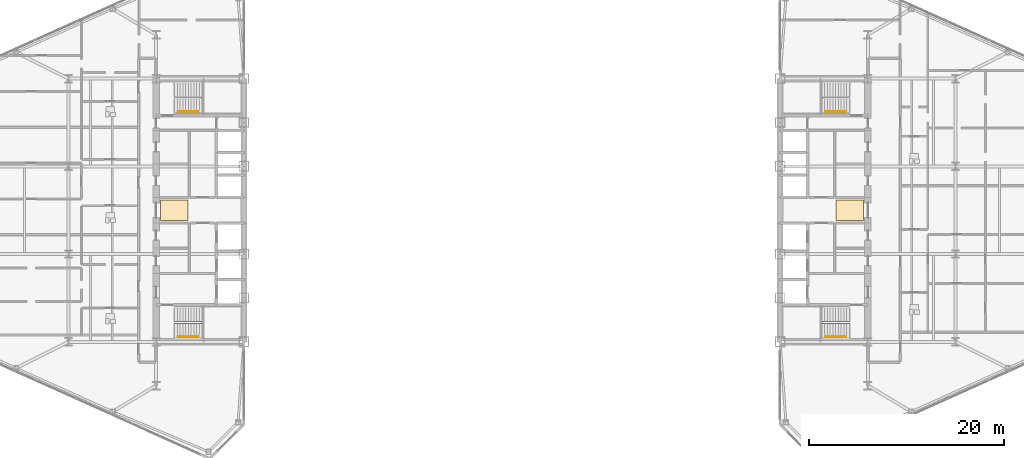
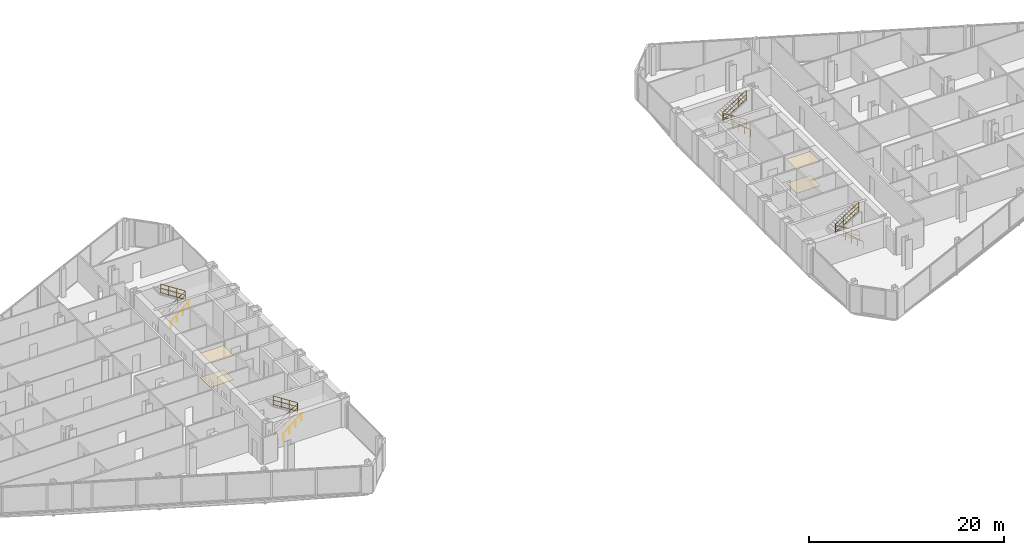
# One storey, part 26 of 27: 8 railings, 4 coverings.
"""IFC4 building model written with IfcOpenShell, lengths in metres."""

import ifcopenshell
import ifcopenshell.guid

model = None  # the IFC model being written
_history = None  # IfcOwnerHistory: only IFC2X3 demands one
_inside = {}  # id of a spatial element -> (the spatial element, [elements in it])
_under = {}  # id of a project, library or spatial element -> (it, [spatial elements below it])
_declared = {}  # id of a project -> (the project, [libraries it declares])
_typed = {}  # id of a type object -> (the type object, [elements of that type])
_made_of = {}  # id of a material, layer set ... -> (it, [elements and type objects made of it])


def new_model(schema):
    """Start an empty IFC model of exactly this schema.

    Asked for "IFC4X3", IfcOpenShell would pick the latest addendum, in which some entities
    have other attributes; the version numbers below select the first issue.
    IFC2X3 requires an IfcOwnerHistory on every rooted entity: one is made here for all.
    """
    global model, _history
    if schema == "IFC4X3":
        model = ifcopenshell.file(schema_version=(4, 3, 0, 0))
    else:
        model = ifcopenshell.file(schema=schema)
    _inside.clear()
    _under.clear()
    _declared.clear()
    _typed.clear()
    _made_of.clear()
    _history = None
    if model.schema == "IFC2X3":
        org = make("IfcOrganization", Name="unknown")
        user = make(
            "IfcPersonAndOrganization",
            ThePerson=make("IfcPerson", FamilyName="unknown"),
            TheOrganization=org,
        )
        app = make(
            "IfcApplication",
            ApplicationDeveloper=org,
            Version="unknown",
            ApplicationFullName="unknown",
            ApplicationIdentifier="unknown",
        )
        _history = make(
            "IfcOwnerHistory",
            OwningUser=user,
            OwningApplication=app,
            ChangeAction="ADDED",
            CreationDate=0,
        )
    return model


def make(cls, **values):
    """One entity of the class cls with the attributes given. An attribute that is None is left unset."""
    return model.create_entity(
        cls, **{name: value for name, value in values.items() if value is not None}
    )


def rooted(cls, **values):
    """An entity with a GlobalId (a new one), such as an element, a storey or a relation."""
    return make(cls, GlobalId=ifcopenshell.guid.new(), OwnerHistory=_history, **values)


def si_unit(unit_type, name, prefix=None):
    """IfcSIUnit, for example si_unit("LENGTHUNIT", "METRE", prefix="MILLI")."""
    return make("IfcSIUnit", UnitType=unit_type, Prefix=prefix, Name=name)


def assignment(units):
    """IfcUnitAssignment: the units of a project."""
    return None if units is None else make("IfcUnitAssignment", Units=units)


def point(xyz):
    """IfcCartesianPoint."""
    return None if xyz is None else make("IfcCartesianPoint", Coordinates=xyz)


def direction(xyz):
    """IfcDirection."""
    return None if xyz is None else make("IfcDirection", DirectionRatios=xyz)


def frame(location, z_axis=None, x_axis=None):
    """IfcAxis2Placement3D, a coordinate frame: its origin and axes. An axis left out is left unset."""
    return make(
        "IfcAxis2Placement3D",
        Location=point(location),
        Axis=direction(z_axis),
        RefDirection=direction(x_axis),
    )


def frame_2d(location, x_axis=None):
    """IfcAxis2Placement2D, a coordinate frame in the plane: its origin and x axis."""
    return make(
        "IfcAxis2Placement2D", Location=point(location), RefDirection=direction(x_axis)
    )


def origin():
    """The frame at (0, 0, 0) with its axes left unset."""
    return frame((0.0, 0.0, 0.0))


def origin_2d():
    """The frame at (0, 0) in the plane with its x axis left unset."""
    return frame_2d((0.0, 0.0))


def place(relative_to, where):
    """IfcLocalPlacement: puts the frame where relative to a parent placement (None: the world)."""
    return make(
        "IfcLocalPlacement", PlacementRelTo=relative_to, RelativePlacement=where
    )


def context(
    kind, dimensions, precision=None, world=None, true_north=None, identifier=None
):
    """IfcGeometricRepresentationContext, for example the 3D "Model" context."""
    return make(
        "IfcGeometricRepresentationContext",
        ContextIdentifier=identifier,
        ContextType=kind,
        CoordinateSpaceDimension=dimensions,
        Precision=precision,
        WorldCoordinateSystem=world,
        TrueNorth=true_north,
    )


def subcontext(parent, identifier, kind, view, scale=None):
    """IfcGeometricRepresentationSubContext, for example "Body" below "Model"."""
    return make(
        "IfcGeometricRepresentationSubContext",
        ContextIdentifier=identifier,
        ContextType=kind,
        ParentContext=parent,
        TargetScale=scale,
        TargetView=view,
    )


def project(units=None, contexts=None):
    """IfcProject with its units and contexts."""
    return rooted(
        "IfcProject",
        Name="project",
        RepresentationContexts=contexts,
        UnitsInContext=assignment(units),
    )


def spatial(cls, under=None, at=None, **own):
    """A site, building, storey or space (cls), placed at a placement, below another one or the project."""
    s = rooted(cls, ObjectPlacement=at, **own)
    if under is not None:
        _under.setdefault(under.id(), (under, []))[1].append(s)
    return s


def polyline(points):
    """IfcPolyline through the points."""
    return make("IfcPolyline", Points=[point(p) for p in points])


def profile(cls, at=None, kind="AREA", **sizes):
    """A parametric profile (cls). Its sizes go by their IFC names, for example OverallWidth=200.0."""
    return make(cls, ProfileType=kind, Position=at, **sizes)


def circle(**sizes):
    """IfcCircleProfileDef."""
    return profile("IfcCircleProfileDef", **sizes)


def outline(outer, holes=None, kind="AREA"):
    """IfcArbitraryClosedProfileDef: a profile drawn as a closed curve; with holes, ...WithVoids."""
    if holes is None:
        return make("IfcArbitraryClosedProfileDef", ProfileType=kind, OuterCurve=outer)
    return make(
        "IfcArbitraryProfileDefWithVoids",
        ProfileType=kind,
        OuterCurve=outer,
        InnerCurves=holes,
    )


def extrude(swept, where, along, depth):
    """IfcExtrudedAreaSolid: the profile swept, set in the frame where, extruded along a direction by depth."""
    return make(
        "IfcExtrudedAreaSolid",
        SweptArea=swept,
        Position=where,
        ExtrudedDirection=direction(along),
        Depth=depth,
    )


def shape(context_of_items, identifier, shape_type, items):
    """IfcShapeRepresentation: the items that make up one representation, for example the "Body"."""
    return make(
        "IfcShapeRepresentation",
        ContextOfItems=context_of_items,
        RepresentationIdentifier=identifier,
        RepresentationType=shape_type,
        Items=items,
    )


def material(Name=None, Category=None):
    """IfcMaterial."""
    return make("IfcMaterial", Name=Name, Category=Category)


def layer(
    of_material, thickness, ventilated=None, Name=None, Category=None, Priority=None
):
    """IfcMaterialLayer: one layer of a wall or slab, of a material (None: an air gap)."""
    return make(
        "IfcMaterialLayer",
        Material=of_material,
        LayerThickness=thickness,
        IsVentilated=ventilated,
        Name=Name,
        Category=Category,
        Priority=Priority,
    )


def layer_set(layers, Name=None):
    """IfcMaterialLayerSet."""
    return make("IfcMaterialLayerSet", MaterialLayers=layers, LayerSetName=Name)


def made_of(thing, what):
    """Note that an element or type object is made of a material, layer set ...; save() writes the relation."""
    if what is not None:
        _made_of.setdefault(what.id(), (what, []))[1].append(thing)
    return thing


def type_object(cls, material=None, **own):
    """A type object (cls), such as IfcWallType, which elements share."""
    return made_of(rooted(cls, **own), material)


def element(
    cls,
    number,
    at=None,
    inside=None,
    cuts=None,
    type_object=None,
    material=None,
    context=None,
    identifier="Body",
    shape_type=None,
    held_by="IfcProductDefinitionShape",
    body=None,
    shapes=None,
    **own,
):
    """One element of the class cls, such as IfcWall. Its Tag is "e" and its number.

    at: its placement. inside: the storey or other place that contains it. cuts: it is an
    opening in that element (IfcRelVoidsElement). A single representation is given by context,
    identifier, shape_type and body (its items); several are given by shapes. held_by: the class
    of the entity that holds the representations. save() writes the other relations.
    """
    e = rooted(cls, Tag="e%d" % number, ObjectPlacement=at, **own)
    if body is not None:
        shapes = [shape(context, identifier, shape_type, body)]
    if shapes is not None:
        e.Representation = make(held_by, Representations=shapes)
    if inside is not None:
        _inside.setdefault(inside.id(), (inside, []))[1].append(e)
    if cuts is not None:
        rooted(
            "IfcRelVoidsElement", RelatingBuildingElement=cuts, RelatedOpeningElement=e
        )
    if type_object is not None:
        _typed.setdefault(type_object.id(), (type_object, []))[1].append(e)
    return made_of(e, material)


def aggregate(whole, parts):
    """IfcRelAggregates: a whole, such as a stair, and the parts it consists of."""
    return rooted("IfcRelAggregates", RelatingObject=whole, RelatedObjects=parts)


def save(model, path):
    """Write the relations noted so far, then the file.

    IfcRelAggregates (storeys below a building ...), IfcRelContainedInSpatialStructure (elements
    in a storey), IfcRelDefinesByType, IfcRelAssociatesMaterial and IfcRelDeclares: one each for
    every whole, place, type object, material and project.
    """
    for whole, parts in _under.values():
        aggregate(whole, parts)
    for where, things in _inside.values():
        rooted(
            "IfcRelContainedInSpatialStructure",
            RelatedElements=things,
            RelatingStructure=where,
        )
    for kind, things in _typed.values():
        rooted("IfcRelDefinesByType", RelatedObjects=things, RelatingType=kind)
    for what, things in _made_of.values():
        rooted("IfcRelAssociatesMaterial", RelatedObjects=things, RelatingMaterial=what)
    for by, libraries in _declared.values():
        rooted("IfcRelDeclares", RelatingContext=by, RelatedDefinitions=libraries)
    model.write(path)


model = new_model("IFC4")

# Units and contexts
model_context = context("Model", 3, precision=1e-05, world=origin(), true_north=direction((0.0, 1.0)))
body_context = subcontext(model_context, "Body", "Model", "MODEL_VIEW")
ifc_project = project(units=[si_unit("LENGTHUNIT", "METRE"), si_unit("AREAUNIT", "SQUARE_METRE"), si_unit("VOLUMEUNIT", "CUBIC_METRE"), si_unit("PLANEANGLEUNIT", "RADIAN"), si_unit("MASSUNIT", "GRAM", prefix="KILO")], contexts=[model_context])

# Site, building, storey
site_placement = place(None, origin())
site = spatial("IfcSite", under=ifc_project, at=site_placement, CompositionType="ELEMENT")
building_placement = place(site_placement, origin())
building = spatial("IfcBuilding", under=site, at=building_placement, Name="Seokmaru Belvedere", CompositionType="ELEMENT")
storey_placement = place(building_placement, frame((0.0, 0.0, 92.39990234375)))
storey = spatial("IfcBuildingStorey", under=building, at=storey_placement, Name="L24", CompositionType="ELEMENT", Elevation=92.39990234375)

# Coverings
ifc_material_1 = material(Name="Engineered White Oak Timber", Category="wood")
ifc_layer_1 = layer(ifc_material_1, 0.02197265625)
ifc_layer_set_1 = layer_set([ifc_layer_1], Name="Engineered White Oak Timber")
covering_type_1 = type_object("IfcCoveringType", Name="Engineered Oak Residence Floor Finish 22", PredefinedType="FLOORING", material=ifc_layer_set_1)
covering_1_placement = place(storey_placement, origin())
element("IfcCovering", 1, at=covering_1_placement, inside=storey, type_object=covering_type_1, Name="L24 W Foyer Floor Finish", PredefinedType="FLOORING", context=body_context, shape_type="SweptSolid", body=[
    extrude(outline(polyline([(-36.050048828125, -1.050048828125), (-33.25, -1.050048828125), (-33.25, 1.050048828125), (-36.050048828125, 1.050048828125), (-36.050048828125, -1.050048828125)])), origin(), (0.0, 0.0, 1.0), 0.022216796875),
])
covering_2_placement = place(storey_placement, origin())
element("IfcCovering", 2, at=covering_2_placement, inside=storey, type_object=covering_type_1, Name="L24 E Foyer Floor Finish", PredefinedType="FLOORING", context=body_context, shape_type="SweptSolid", body=[
    extrude(outline(polyline([(33.25, -1.050048828125), (36.050048828125, -1.050048828125), (36.050048828125, 1.050048828125), (33.25, 1.050048828125), (33.25, -1.050048828125)])), origin(), (0.0, 0.0, 1.0), 0.022216796875),
])
ifc_material_2 = material(Name="Fire-Rated Gypsum Shaftwall")
ifc_layer_2 = layer(ifc_material_2, 0.02490234375)
ifc_layer_set_2 = layer_set([ifc_layer_2], Name="Fire-Rated Gypsum Shaftwall")
covering_type_2 = type_object("IfcCoveringType", Name="Perforated Acoustic Gypsum Suspended Ceiling 25", PredefinedType="CEILING", material=ifc_layer_set_2)
covering_3_placement = place(storey_placement, frame((0.0, 0.0, 3.030029296875)))
element("IfcCovering", 3, at=covering_3_placement, inside=storey, type_object=covering_type_2, Name="L24 W Lift Foyer Acoustic Ceiling", PredefinedType="CEILING", context=body_context, shape_type="SweptSolid", body=[
    extrude(outline(polyline([(-36.050048828125, -1.050048828125), (-33.25, -1.050048828125), (-33.25, 1.050048828125), (-36.050048828125, 1.050048828125), (-36.050048828125, -1.050048828125)])), origin(), (0.0, 0.0, 1.0), 0.025146484375),
])
covering_4_placement = place(storey_placement, frame((0.0, 0.0, 3.030029296875)))
element("IfcCovering", 4, at=covering_4_placement, inside=storey, type_object=covering_type_2, Name="L24 E Lift Foyer Acoustic Ceiling", PredefinedType="CEILING", context=body_context, shape_type="SweptSolid", body=[
    extrude(outline(polyline([(33.25, -1.050048828125), (36.050048828125, -1.050048828125), (36.050048828125, 1.050048828125), (33.25, 1.050048828125), (33.25, -1.050048828125)])), origin(), (0.0, 0.0, 1.0), 0.025146484375),
])

# Railings
ifc_material_3 = material(Name="Stainless Steel 316", Category="steel")
railing_type_1 = type_object("IfcRailingType", Name="Stainless Steel Wall and Flight Handrail 900", PredefinedType="HANDRAIL", material=ifc_material_3)
for number, where, name in (
    (5, (-34.25, -12.949951171875, 0.0), "L24 Stair ST-W1 Wall Handrail"),
    (6, (-34.25, 10.110107421875, 0.0), "L24 Stair ST-W2 Wall Handrail"),
):
    element("IfcRailing", number, at=place(storey_placement, frame(where)), inside=storey, type_object=railing_type_1, Name=name, PredefinedType="HANDRAIL", context=body_context, shape_type="SweptSolid", body=[
        extrude(circle(Radius=0.02392578125, at=origin_2d()), frame((0.0, 0.0, 0.8759765625), z_axis=(0.759262832861, 0.0, 0.650784104474), x_axis=(0.0, 1.0, 0.0)), (0.0, 0.0, 1.0), 2.765869140625),
        extrude(circle(Radius=0.02099609375, at=origin_2d()), origin(), (0.0, 0.0, 1.0), 0.851806640625),
        extrude(circle(Radius=0.02099609375, at=origin_2d()), frame((0.699951171875, 0.0, 0.60009765625)), (0.0, 0.0, 1.0), 0.851806640625),
        extrude(circle(Radius=0.02099609375, at=origin_2d()), frame((1.400146484375, 0.0, 1.199951171875)), (0.0, 0.0, 1.0), 0.851806640625),
        extrude(circle(Radius=0.02099609375, at=origin_2d()), frame((2.10009765625, 0.0, 1.800048828125)), (0.0, 0.0, 1.0), 0.851806640625),
    ])
for number, where, name in (
    (7, (34.25, -12.949951171875, 0.0), "L24 Stair ST-E1 Wall Handrail"),
    (8, (34.25, 10.110107421875, 0.0), "L24 Stair ST-E2 Wall Handrail"),
):
    element("IfcRailing", number, at=place(storey_placement, frame(where)), inside=storey, type_object=railing_type_1, Name=name, PredefinedType="HANDRAIL", context=body_context, shape_type="SweptSolid", body=[
        extrude(circle(Radius=0.02392578125, at=origin_2d()), frame((0.0, 0.0, 0.8759765625), z_axis=(-0.759262832861, 0.0, 0.650784104474), x_axis=(0.0, -1.0, 0.0)), (0.0, 0.0, 1.0), 2.765869140625),
        extrude(circle(Radius=0.02099609375, at=origin_2d()), origin(), (0.0, 0.0, 1.0), 0.851806640625),
        extrude(circle(Radius=0.02099609375, at=origin_2d()), frame((-0.699951171875, 0.0, 0.60009765625)), (0.0, 0.0, 1.0), 0.851806640625),
        extrude(circle(Radius=0.02099609375, at=origin_2d()), frame((-1.400146484375, 0.0, 1.199951171875)), (0.0, 0.0, 1.0), 0.851806640625),
        extrude(circle(Radius=0.02099609375, at=origin_2d()), frame((-2.10009765625, 0.0, 1.800048828125)), (0.0, 0.0, 1.0), 0.851806640625),
    ])
railing_type_2 = type_object("IfcRailingType", Name="Stair Well and Atrium Steel Guardrail 1200", PredefinedType="GUARDRAIL", material=ifc_material_3)
railing_1_placement = place(storey_placement, frame((-34.60009765625, -11.60009765625, 0.0)))
element("IfcRailing", 9, at=railing_1_placement, inside=storey, type_object=railing_type_2, Name="L24 Stair ST-W1 Inner Well Guardrail", PredefinedType="GUARDRAIL", context=body_context, shape_type="SweptSolid", body=[
    extrude(circle(Radius=0.02392578125, at=origin_2d()), frame((0.0, 0.0, 1.17578125), z_axis=(0.841176092368, 0.0, 0.540761298198), x_axis=(0.0, 1.0, 0.0)), (0.0, 0.0, 1.0), 3.32861328125),
    extrude(circle(Radius=0.02392578125, at=origin_2d()), frame((0.0, 0.0, 0.1201171875), z_axis=(0.841176092368, 0.0, 0.540761298198), x_axis=(0.0, 1.0, 0.0)), (0.0, 0.0, 1.0), 3.32861328125),
    extrude(circle(Radius=0.02392578125, at=origin_2d()), frame((0.0, 0.0, 0.659912109375), z_axis=(0.841176092368, 0.0, 0.540761298198), x_axis=(0.0, 1.0, 0.0)), (0.0, 0.0, 1.0), 3.32861328125),
    extrude(circle(Radius=0.02392578125, at=origin_2d()), frame((2.800048828125, 0.0, 2.97607421875), z_axis=(0.0, 1.0, 0.0), x_axis=(-1.0, 0.0, 0.0)), (0.0, 0.0, 1.0), 0.14013671875),
    extrude(circle(Radius=0.02392578125, at=origin_2d()), frame((2.800048828125, 0.0, 1.920166015625), z_axis=(0.0, 1.0, 0.0), x_axis=(-1.0, 0.0, 0.0)), (0.0, 0.0, 1.0), 0.14013671875),
    extrude(circle(Radius=0.02392578125, at=origin_2d()), frame((2.800048828125, 0.0, 2.4599609375), z_axis=(0.0, 1.0, 0.0), x_axis=(-1.0, 0.0, 0.0)), (0.0, 0.0, 1.0), 0.14013671875),
    extrude(circle(Radius=0.02392578125, at=origin_2d()), frame((2.800048828125, 0.14013671875, 2.97607421875), z_axis=(-0.841176092368, 0.0, 0.540761298198), x_axis=(0.0, -1.0, 0.0)), (0.0, 0.0, 1.0), 3.32861328125),
    extrude(circle(Radius=0.02392578125, at=origin_2d()), frame((2.800048828125, 0.14013671875, 1.920166015625), z_axis=(-0.841176092368, 0.0, 0.540761298198), x_axis=(0.0, -1.0, 0.0)), (0.0, 0.0, 1.0), 3.32861328125),
    extrude(circle(Radius=0.02392578125, at=origin_2d()), frame((2.800048828125, 0.14013671875, 2.4599609375), z_axis=(-0.841176092368, 0.0, 0.540761298198), x_axis=(0.0, -1.0, 0.0)), (0.0, 0.0, 1.0), 3.32861328125),
    extrude(circle(Radius=0.02099609375, at=origin_2d()), origin(), (0.0, 0.0, 1.0), 1.15185546875),
    extrude(circle(Radius=0.02099609375, at=origin_2d()), frame((0.933349609375, 0.0, 0.60009765625)), (0.0, 0.0, 1.0), 1.15185546875),
    extrude(circle(Radius=0.02099609375, at=origin_2d()), frame((1.86669921875, 0.0, 1.199951171875)), (0.0, 0.0, 1.0), 1.15185546875),
    extrude(circle(Radius=0.02099609375, at=origin_2d()), frame((2.800048828125, 0.0, 1.800048828125)), (0.0, 0.0, 1.0), 1.15185546875),
    extrude(circle(Radius=0.02099609375, at=origin_2d()), frame((2.800048828125, 0.14013671875, 1.800048828125)), (0.0, 0.0, 1.0), 1.15185546875),
    extrude(circle(Radius=0.02099609375, at=origin_2d()), frame((1.86669921875, 0.14013671875, 2.400146484375)), (0.0, 0.0, 1.0), 1.15185546875),
    extrude(circle(Radius=0.02099609375, at=origin_2d()), frame((0.933349609375, 0.14013671875, 3.0)), (0.0, 0.0, 1.0), 1.15185546875),
    extrude(circle(Radius=0.02099609375, at=origin_2d()), frame((0.0, 0.14013671875, 3.60009765625)), (0.0, 0.0, 1.0), 1.15185546875),
])
railing_2_placement = place(storey_placement, frame((-34.60009765625, 11.4599609375, 0.0)))
element("IfcRailing", 10, at=railing_2_placement, inside=storey, type_object=railing_type_2, Name="L24 Stair ST-W2 Inner Well Guardrail", PredefinedType="GUARDRAIL", context=body_context, shape_type="SweptSolid", body=[
    extrude(circle(Radius=0.02392578125, at=origin_2d()), frame((0.0, 0.0, 1.17578125), z_axis=(0.841176092368, 0.0, 0.540761298198), x_axis=(0.0, 1.0, 0.0)), (0.0, 0.0, 1.0), 3.32861328125),
    extrude(circle(Radius=0.02392578125, at=origin_2d()), frame((0.0, 0.0, 0.1201171875), z_axis=(0.841176092368, 0.0, 0.540761298198), x_axis=(0.0, 1.0, 0.0)), (0.0, 0.0, 1.0), 3.32861328125),
    extrude(circle(Radius=0.02392578125, at=origin_2d()), frame((0.0, 0.0, 0.659912109375), z_axis=(0.841176092368, 0.0, 0.540761298198), x_axis=(0.0, 1.0, 0.0)), (0.0, 0.0, 1.0), 3.32861328125),
    extrude(circle(Radius=0.02392578125, at=origin_2d()), frame((2.800048828125, 0.0, 2.97607421875), z_axis=(0.0, 1.0, 0.0), x_axis=(-1.0, 0.0, 0.0)), (0.0, 0.0, 1.0), 0.14013671875),
    extrude(circle(Radius=0.02392578125, at=origin_2d()), frame((2.800048828125, 0.0, 1.920166015625), z_axis=(0.0, 1.0, 0.0), x_axis=(-1.0, 0.0, 0.0)), (0.0, 0.0, 1.0), 0.14013671875),
    extrude(circle(Radius=0.02392578125, at=origin_2d()), frame((2.800048828125, 0.0, 2.4599609375), z_axis=(0.0, 1.0, 0.0), x_axis=(-1.0, 0.0, 0.0)), (0.0, 0.0, 1.0), 0.14013671875),
    extrude(circle(Radius=0.02392578125, at=origin_2d()), frame((2.800048828125, 0.14013671875, 2.97607421875), z_axis=(-0.841176092368, 0.0, 0.540761298198), x_axis=(0.0, -1.0, 0.0)), (0.0, 0.0, 1.0), 3.32861328125),
    extrude(circle(Radius=0.02392578125, at=origin_2d()), frame((2.800048828125, 0.14013671875, 1.920166015625), z_axis=(-0.841176092368, 0.0, 0.540761298198), x_axis=(0.0, -1.0, 0.0)), (0.0, 0.0, 1.0), 3.32861328125),
    extrude(circle(Radius=0.02392578125, at=origin_2d()), frame((2.800048828125, 0.14013671875, 2.4599609375), z_axis=(-0.841176092368, 0.0, 0.540761298198), x_axis=(0.0, -1.0, 0.0)), (0.0, 0.0, 1.0), 3.32861328125),
    extrude(circle(Radius=0.02099609375, at=origin_2d()), origin(), (0.0, 0.0, 1.0), 1.15185546875),
    extrude(circle(Radius=0.02099609375, at=origin_2d()), frame((0.933349609375, 0.0, 0.60009765625)), (0.0, 0.0, 1.0), 1.15185546875),
    extrude(circle(Radius=0.02099609375, at=origin_2d()), frame((1.86669921875, 0.0, 1.199951171875)), (0.0, 0.0, 1.0), 1.15185546875),
    extrude(circle(Radius=0.02099609375, at=origin_2d()), frame((2.800048828125, 0.0, 1.800048828125)), (0.0, 0.0, 1.0), 1.15185546875),
    extrude(circle(Radius=0.02099609375, at=origin_2d()), frame((2.800048828125, 0.14013671875, 1.800048828125)), (0.0, 0.0, 1.0), 1.15185546875),
    extrude(circle(Radius=0.02099609375, at=origin_2d()), frame((1.86669921875, 0.14013671875, 2.400146484375)), (0.0, 0.0, 1.0), 1.15185546875),
    extrude(circle(Radius=0.02099609375, at=origin_2d()), frame((0.933349609375, 0.14013671875, 3.0)), (0.0, 0.0, 1.0), 1.15185546875),
    extrude(circle(Radius=0.02099609375, at=origin_2d()), frame((0.0, 0.14013671875, 3.60009765625)), (0.0, 0.0, 1.0), 1.15185546875),
])
railing_3_placement = place(storey_placement, frame((34.60009765625, -11.60009765625, 0.0)))
element("IfcRailing", 11, at=railing_3_placement, inside=storey, type_object=railing_type_2, Name="L24 Stair ST-E1 Inner Well Guardrail", PredefinedType="GUARDRAIL", context=body_context, shape_type="SweptSolid", body=[
    extrude(circle(Radius=0.02392578125, at=origin_2d()), frame((0.0, 0.0, 1.17578125), z_axis=(-0.841176092368, 0.0, 0.540761298198), x_axis=(0.0, -1.0, 0.0)), (0.0, 0.0, 1.0), 3.32861328125),
    extrude(circle(Radius=0.02392578125, at=origin_2d()), frame((0.0, 0.0, 0.1201171875), z_axis=(-0.841176092368, 0.0, 0.540761298198), x_axis=(0.0, -1.0, 0.0)), (0.0, 0.0, 1.0), 3.32861328125),
    extrude(circle(Radius=0.02392578125, at=origin_2d()), frame((0.0, 0.0, 0.659912109375), z_axis=(-0.841176092368, 0.0, 0.540761298198), x_axis=(0.0, -1.0, 0.0)), (0.0, 0.0, 1.0), 3.32861328125),
    extrude(circle(Radius=0.02392578125, at=origin_2d()), frame((-2.800048828125, 0.0, 2.97607421875), z_axis=(0.0, 1.0, 0.0), x_axis=(-1.0, 0.0, 0.0)), (0.0, 0.0, 1.0), 0.14013671875),
    extrude(circle(Radius=0.02392578125, at=origin_2d()), frame((-2.800048828125, 0.0, 1.920166015625), z_axis=(0.0, 1.0, 0.0), x_axis=(-1.0, 0.0, 0.0)), (0.0, 0.0, 1.0), 0.14013671875),
    extrude(circle(Radius=0.02392578125, at=origin_2d()), frame((-2.800048828125, 0.0, 2.4599609375), z_axis=(0.0, 1.0, 0.0), x_axis=(-1.0, 0.0, 0.0)), (0.0, 0.0, 1.0), 0.14013671875),
    extrude(circle(Radius=0.02392578125, at=origin_2d()), frame((-2.800048828125, 0.14013671875, 2.97607421875), z_axis=(0.841176092368, 0.0, 0.540761298198), x_axis=(0.0, 1.0, 0.0)), (0.0, 0.0, 1.0), 3.32861328125),
    extrude(circle(Radius=0.02392578125, at=origin_2d()), frame((-2.800048828125, 0.14013671875, 1.920166015625), z_axis=(0.841176092368, 0.0, 0.540761298198), x_axis=(0.0, 1.0, 0.0)), (0.0, 0.0, 1.0), 3.32861328125),
    extrude(circle(Radius=0.02392578125, at=origin_2d()), frame((-2.800048828125, 0.14013671875, 2.4599609375), z_axis=(0.841176092368, 0.0, 0.540761298198), x_axis=(0.0, 1.0, 0.0)), (0.0, 0.0, 1.0), 3.32861328125),
    extrude(circle(Radius=0.02099609375, at=origin_2d()), origin(), (0.0, 0.0, 1.0), 1.15185546875),
    extrude(circle(Radius=0.02099609375, at=origin_2d()), frame((-0.933349609375, 0.0, 0.60009765625)), (0.0, 0.0, 1.0), 1.15185546875),
    extrude(circle(Radius=0.02099609375, at=origin_2d()), frame((-1.86669921875, 0.0, 1.199951171875)), (0.0, 0.0, 1.0), 1.15185546875),
    extrude(circle(Radius=0.02099609375, at=origin_2d()), frame((-2.800048828125, 0.0, 1.800048828125)), (0.0, 0.0, 1.0), 1.15185546875),
    extrude(circle(Radius=0.02099609375, at=origin_2d()), frame((-2.800048828125, 0.14013671875, 1.800048828125)), (0.0, 0.0, 1.0), 1.15185546875),
    extrude(circle(Radius=0.02099609375, at=origin_2d()), frame((-1.86669921875, 0.14013671875, 2.400146484375)), (0.0, 0.0, 1.0), 1.15185546875),
    extrude(circle(Radius=0.02099609375, at=origin_2d()), frame((-0.933349609375, 0.14013671875, 3.0)), (0.0, 0.0, 1.0), 1.15185546875),
    extrude(circle(Radius=0.02099609375, at=origin_2d()), frame((0.0, 0.14013671875, 3.60009765625)), (0.0, 0.0, 1.0), 1.15185546875),
])
railing_4_placement = place(storey_placement, frame((34.60009765625, 11.4599609375, 0.0)))
element("IfcRailing", 12, at=railing_4_placement, inside=storey, type_object=railing_type_2, Name="L24 Stair ST-E2 Inner Well Guardrail", PredefinedType="GUARDRAIL", context=body_context, shape_type="SweptSolid", body=[
    extrude(circle(Radius=0.02392578125, at=origin_2d()), frame((0.0, 0.0, 1.17578125), z_axis=(-0.841176092368, 0.0, 0.540761298198), x_axis=(0.0, -1.0, 0.0)), (0.0, 0.0, 1.0), 3.32861328125),
    extrude(circle(Radius=0.02392578125, at=origin_2d()), frame((0.0, 0.0, 0.1201171875), z_axis=(-0.841176092368, 0.0, 0.540761298198), x_axis=(0.0, -1.0, 0.0)), (0.0, 0.0, 1.0), 3.32861328125),
    extrude(circle(Radius=0.02392578125, at=origin_2d()), frame((0.0, 0.0, 0.659912109375), z_axis=(-0.841176092368, 0.0, 0.540761298198), x_axis=(0.0, -1.0, 0.0)), (0.0, 0.0, 1.0), 3.32861328125),
    extrude(circle(Radius=0.02392578125, at=origin_2d()), frame((-2.800048828125, 0.0, 2.97607421875), z_axis=(0.0, 1.0, 0.0), x_axis=(-1.0, 0.0, 0.0)), (0.0, 0.0, 1.0), 0.14013671875),
    extrude(circle(Radius=0.02392578125, at=origin_2d()), frame((-2.800048828125, 0.0, 1.920166015625), z_axis=(0.0, 1.0, 0.0), x_axis=(-1.0, 0.0, 0.0)), (0.0, 0.0, 1.0), 0.14013671875),
    extrude(circle(Radius=0.02392578125, at=origin_2d()), frame((-2.800048828125, 0.0, 2.4599609375), z_axis=(0.0, 1.0, 0.0), x_axis=(-1.0, 0.0, 0.0)), (0.0, 0.0, 1.0), 0.14013671875),
    extrude(circle(Radius=0.02392578125, at=origin_2d()), frame((-2.800048828125, 0.14013671875, 2.97607421875), z_axis=(0.841176092368, 0.0, 0.540761298198), x_axis=(0.0, 1.0, 0.0)), (0.0, 0.0, 1.0), 3.32861328125),
    extrude(circle(Radius=0.02392578125, at=origin_2d()), frame((-2.800048828125, 0.14013671875, 1.920166015625), z_axis=(0.841176092368, 0.0, 0.540761298198), x_axis=(0.0, 1.0, 0.0)), (0.0, 0.0, 1.0), 3.32861328125),
    extrude(circle(Radius=0.02392578125, at=origin_2d()), frame((-2.800048828125, 0.14013671875, 2.4599609375), z_axis=(0.841176092368, 0.0, 0.540761298198), x_axis=(0.0, 1.0, 0.0)), (0.0, 0.0, 1.0), 3.32861328125),
    extrude(circle(Radius=0.02099609375, at=origin_2d()), origin(), (0.0, 0.0, 1.0), 1.15185546875),
    extrude(circle(Radius=0.02099609375, at=origin_2d()), frame((-0.933349609375, 0.0, 0.60009765625)), (0.0, 0.0, 1.0), 1.15185546875),
    extrude(circle(Radius=0.02099609375, at=origin_2d()), frame((-1.86669921875, 0.0, 1.199951171875)), (0.0, 0.0, 1.0), 1.15185546875),
    extrude(circle(Radius=0.02099609375, at=origin_2d()), frame((-2.800048828125, 0.0, 1.800048828125)), (0.0, 0.0, 1.0), 1.15185546875),
    extrude(circle(Radius=0.02099609375, at=origin_2d()), frame((-2.800048828125, 0.14013671875, 1.800048828125)), (0.0, 0.0, 1.0), 1.15185546875),
    extrude(circle(Radius=0.02099609375, at=origin_2d()), frame((-1.86669921875, 0.14013671875, 2.400146484375)), (0.0, 0.0, 1.0), 1.15185546875),
    extrude(circle(Radius=0.02099609375, at=origin_2d()), frame((-0.933349609375, 0.14013671875, 3.0)), (0.0, 0.0, 1.0), 1.15185546875),
    extrude(circle(Radius=0.02099609375, at=origin_2d()), frame((0.0, 0.14013671875, 3.60009765625)), (0.0, 0.0, 1.0), 1.15185546875),
])

save(model, "model.ifc")
